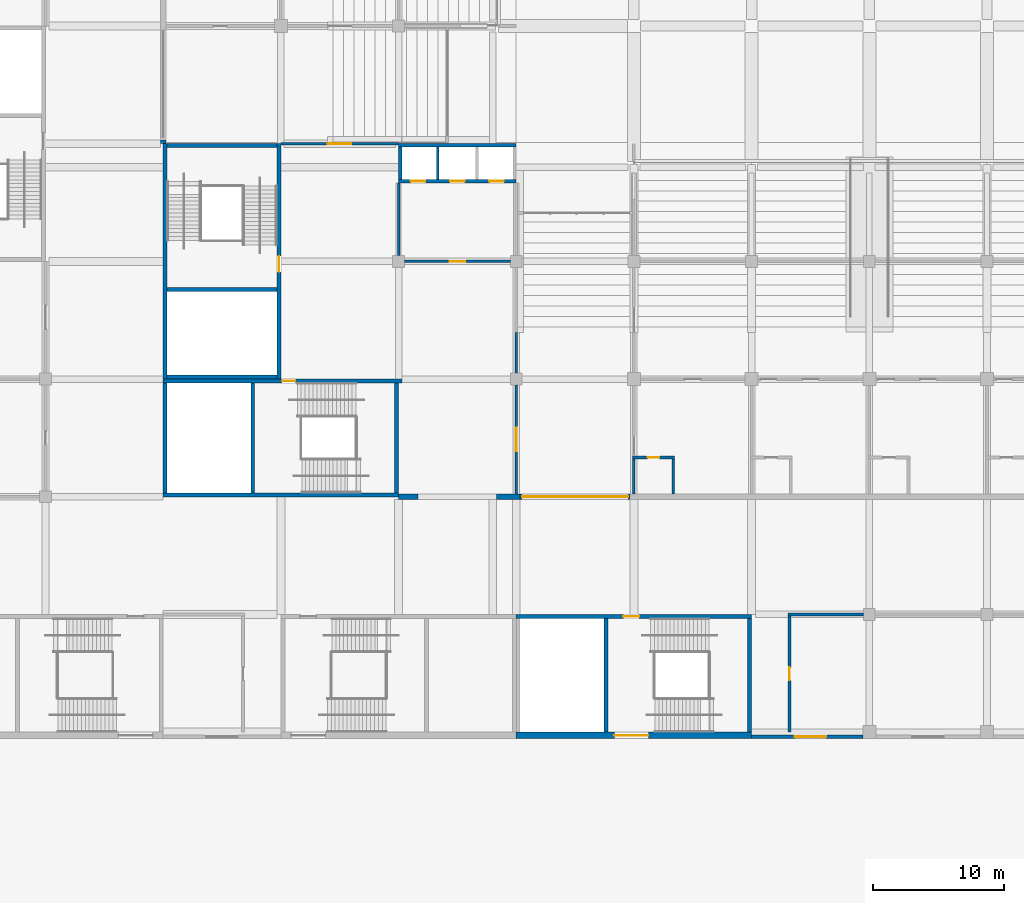
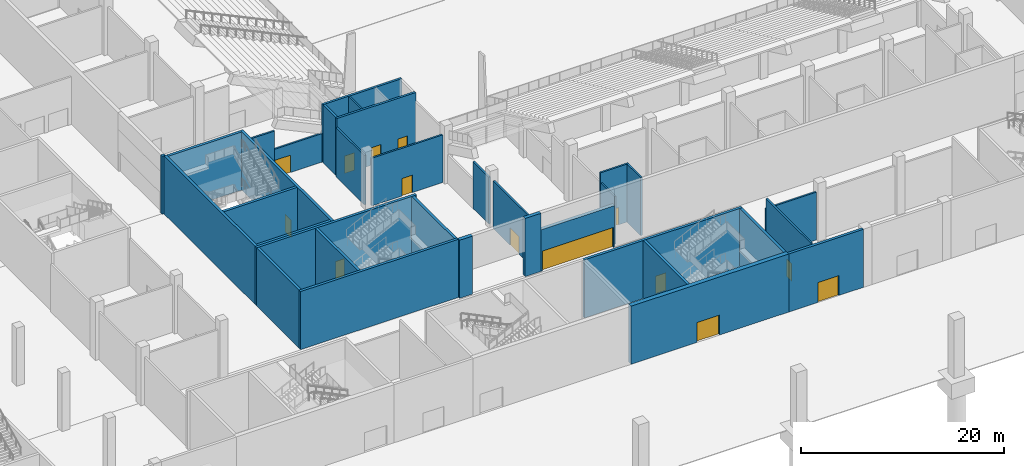
# One storey, part 24 of 92: 34 walls, 14 doors, 14 openings.
"""IFC4 building model written with IfcOpenShell, lengths in metres."""

from ifc_helpers import new_model, si_unit, direction, frame, frame_2d, origin, place, context, subcontext, project, spatial, rectangle, extrude, material, layer, layer_set, type_object, element, fill, save


model = new_model("IFC4")

# Units and contexts
model_context = context("Model", 3, precision=1e-05, world=origin(), true_north=direction((0.0, 1.0)))
body_context = subcontext(model_context, "Body", "Model", "MODEL_VIEW")
ifc_project = project(units=[si_unit("LENGTHUNIT", "METRE"), si_unit("AREAUNIT", "SQUARE_METRE"), si_unit("VOLUMEUNIT", "CUBIC_METRE"), si_unit("PLANEANGLEUNIT", "RADIAN"), si_unit("MASSUNIT", "GRAM", prefix="KILO")], contexts=[model_context])

# Site, building, storey
site_placement = place(None, origin())
site = spatial("IfcSite", under=ifc_project, at=site_placement, CompositionType="ELEMENT")
building_placement = place(site_placement, origin())
building = spatial("IfcBuilding", under=site, at=building_placement, Name="Silverbay Arena", CompositionType="ELEMENT")
storey_placement = place(building_placement, origin())
storey = spatial("IfcBuildingStorey", under=building, at=storey_placement, Name="L00", CompositionType="ELEMENT", Elevation=0.0)

# Wall, opening, door
ifc_material_1 = material(Name="Concrete Grade C45 precast, board-marked finish", Category="concrete")
ifc_layer_1 = layer(ifc_material_1, 0.300048828125)
ifc_layer_set_1 = layer_set([ifc_layer_1], Name="Concrete Grade C45 precast, board-marked finish")
wall_type_1 = type_object("IfcWallType", Name="Board-marked precast wall 300", PredefinedType="SOLIDWALL", material=ifc_layer_set_1)
wall_1_placement = place(storey_placement, frame((117.0, 17.64990234375, 0.0), z_axis=(0.0, 0.0, 1.0), x_axis=(1.0, 0.0, 0.0)))
wall_1 = element("IfcWall", 1, at=wall_1_placement, inside=storey, type_object=wall_type_1, Name="South external wall L00 bay 11", PredefinedType="SOLIDWALL", context=body_context, shape_type="SweptSolid", body=[
    extrude(rectangle(XDim=8.5, YDim=0.300048828125, at=frame_2d((4.25, 0.0))), origin(), (0.0, 0.0, 1.0), 7.0),
])
opening_1_placement = place(wall_1_placement, frame((3.300048828125, 0.0, 0.0)))
opening_1 = element("IfcOpeningElement", 2, at=opening_1_placement, cuts=wall_1, Name="Opening L00-113", PredefinedType="OPENING", context=body_context, shape_type="SweptSolid", body=[
    extrude(rectangle(XDim=2.39990234375, YDim=2.39990234375, at=frame_2d((1.199951171875, 1.199951171875))), frame((0.0, 0.16015625, 0.0), z_axis=(0.0, -1.0, 0.0), x_axis=(1.0, 0.0, 0.0)), (0.0, 0.0, 1.0), 0.320068359375),
])
ifc_material_2 = material(Name="Steel", Category="steel")
door_type_1 = type_object("IfcDoorType", Name="Exit gate door 2400 x 2400", OperationType="DOUBLE_DOOR_SINGLE_SWING", PredefinedType="DOOR", material=ifc_material_2)
door_1_placement = place(opening_1_placement, frame((2.39990234375, 0.0, 0.0), z_axis=(0.0, 0.0, 1.0), x_axis=(-1.0, 0.0, 0.0)))
door_1 = element("IfcDoor", 3, at=door_1_placement, inside=storey, type_object=door_type_1, Name="Pedestrian exit gate G4", OperationType="DOUBLE_DOOR_SINGLE_SWING", OverallHeight=2.39990234375, OverallWidth=2.39990234375, PredefinedType="DOOR", context=body_context, shape_type="SweptSolid", body=[
    extrude(rectangle(XDim=2.39990234375, YDim=2.39990234375, at=frame_2d((1.199951171875, 1.199951171875))), frame((0.0, 0.02490234375, 0.0), z_axis=(0.0, -1.0, 0.0), x_axis=(1.0, 0.0, 0.0)), (0.0, 0.0, 1.0), 0.050048828125),
])
fill(opening_1, door_1)

ifc_material_3 = material(Name="Concrete Grade C45", Category="concrete")
ifc_layer_2 = layer(ifc_material_3, 0.39990234375)
ifc_layer_set_2 = layer_set([ifc_layer_2], Name="Concrete Grade C45")
wall_type_2 = type_object("IfcWallType", Name="Bowl enclosure wall RC 400 EI 120", PredefinedType="SOLIDWALL", material=ifc_layer_set_2)
wall_2_placement = place(storey_placement, frame((99.300048828125, 36.0, 0.0), z_axis=(0.0, 0.0, 1.0), x_axis=(1.0, 0.0, 0.0)))
wall_2 = element("IfcWall", 4, at=wall_2_placement, inside=storey, type_object=wall_type_2, Name="tunnel floor tunnel SW", PredefinedType="SOLIDWALL", context=body_context, shape_type="SweptSolid", body=[
    extrude(rectangle(XDim=8.39990234375, YDim=0.39990234375, at=frame_2d((4.199951171875, 0.0))), origin(), (0.0, 0.0, 1.0), 5.0),
])
opening_2_placement = place(wall_2_placement, frame((0.14990234375, 0.0, 0.0)))
opening_2 = element("IfcOpeningElement", 5, at=opening_2_placement, cuts=wall_2, Name="Opening L00-224", PredefinedType="OPENING", context=body_context, shape_type="SweptSolid", body=[
    extrude(rectangle(XDim=8.10009765625, YDim=2.39990234375, at=frame_2d((4.050048828125, 1.199951171875))), frame((0.0, 0.2099609375, 0.0), z_axis=(0.0, -1.0, 0.0), x_axis=(1.0, 0.0, 0.0)), (0.0, 0.0, 1.0), 0.419921875),
])
ifc_material_4 = material(Name="Steel", Category="steel")
door_type_2 = type_object("IfcDoorType", Name="Fire door set 8100 x 2400 FD120S tunnel", OperationType="DOUBLE_DOOR_SINGLE_SWING", PredefinedType="DOOR", material=ifc_material_4)
door_2_placement = place(opening_2_placement, frame((8.10009765625, 0.0, 0.0), z_axis=(0.0, 0.0, 1.0), x_axis=(-1.0, 0.0, 0.0)))
door_2 = element("IfcDoor", 6, at=door_2_placement, inside=storey, type_object=door_type_2, Name="Fire door set L00 tunnel floor tunnel SW", OperationType="DOUBLE_DOOR_SINGLE_SWING", OverallHeight=2.39990234375, OverallWidth=8.10009765625, PredefinedType="DOOR", context=body_context, shape_type="SweptSolid", body=[
    extrude(rectangle(XDim=8.10009765625, YDim=2.39990234375, at=frame_2d((4.050048828125, 1.199951171875))), frame((0.0, 0.02490234375, 0.0), z_axis=(0.0, -1.0, 0.0), x_axis=(1.0, 0.0, 0.0)), (0.0, 0.0, 1.0), 0.050048828125),
])
fill(opening_2, door_2)

ifc_material_5 = material(Name="Concrete Grade C45", Category="concrete")
ifc_layer_3 = layer(ifc_material_5, 0.300048828125)
ifc_layer_set_3 = layer_set([ifc_layer_3], Name="Concrete Grade C45")
wall_type_3 = type_object("IfcWallType", Name="Core wall RC 300 EI 120", PredefinedType="SHEAR", material=ifc_layer_set_3)
wall_3_placement = place(storey_placement, frame((117.0, 26.85009765625, 0.0), z_axis=(0.0, 0.0, 1.0), x_axis=(-1.0, 0.0, 0.0)))
wall_3 = element("IfcWall", 7, at=wall_3_placement, inside=storey, type_object=wall_type_3, Name="Core wall ST-S2 L00 door side", PredefinedType="SHEAR", context=body_context, shape_type="SweptSolid", body=[
    extrude(rectangle(XDim=18.0, YDim=0.300048828125, at=frame_2d((9.0, 0.0))), origin(), (0.0, 0.0, 1.0), 7.0),
])
opening_3_placement = place(wall_3_placement, frame((8.60009765625, 0.0, 0.0)))
opening_3 = element("IfcOpeningElement", 8, at=opening_3_placement, cuts=wall_3, Name="Opening L00-160", PredefinedType="OPENING", context=body_context, shape_type="SweptSolid", body=[
    extrude(rectangle(XDim=1.199951171875, YDim=2.10009765625, at=frame_2d((0.60009765625, 1.050048828125))), frame((0.0, 0.16015625, 0.0), z_axis=(0.0, -1.0, 0.0), x_axis=(1.0, 0.0, 0.0)), (0.0, 0.0, 1.0), 0.320068359375),
])
ifc_material_6 = material(Name="Steel fire door", Category="steel")
door_type_3 = type_object("IfcDoorType", Name="Stair door 1200 x 2100 fire door", OperationType="SINGLE_SWING_LEFT", PredefinedType="DOOR", material=ifc_material_6)
door_3_placement = place(opening_3_placement, origin())
door_3 = element("IfcDoor", 9, at=door_3_placement, inside=storey, type_object=door_type_3, Name="Stair door ST-S2 L00", OperationType="SINGLE_SWING_RIGHT", OverallHeight=2.10009765625, OverallWidth=1.199951171875, PredefinedType="DOOR", context=body_context, shape_type="SweptSolid", body=[
    extrude(rectangle(XDim=1.199951171875, YDim=2.10009765625, at=frame_2d((0.60009765625, 1.050048828125))), frame((0.0, 0.02490234375, 0.0), z_axis=(0.0, -1.0, 0.0), x_axis=(1.0, 0.0, 0.0)), (0.0, 0.0, 1.0), 0.050048828125),
])
fill(opening_3, door_3)

# Walls
for number, where, z_axis, x_axis, name in (
    (10, (116.85009765625, 26.699951171875, 0.0), (0.0, 0.0, 1.0), (0.0, -1.0, 0.0), "Core wall ST-S2 L00 end 1"),
    (11, (105.85009765625, 26.699951171875, 0.0), (0.0, 0.0, 1.0), (0.0, -1.0, 0.0), "Core wall ST-S2 L00 stair enclosure"),
):
    element("IfcWall", number, at=place(storey_placement, frame(where, z_axis=z_axis, x_axis=x_axis)), inside=storey, type_object=wall_type_3, Name=name, PredefinedType="SHEAR", context=body_context, shape_type="SweptSolid", body=[
        extrude(rectangle(XDim=8.699951171875, YDim=0.300048828125, at=frame_2d((4.35009765625, 0.0))), origin(), (0.0, 0.0, 1.0), 7.0),
    ])

# Wall, opening, door
wall_4_placement = place(storey_placement, frame((90.25, 44.85009765625, 0.0), z_axis=(0.0, 0.0, 1.0), x_axis=(-1.0, 0.0, 0.0)))
wall_4 = element("IfcWall", 12, at=wall_4_placement, inside=storey, type_object=wall_type_3, Name="Core wall ST-SW1 L00 door side", PredefinedType="SHEAR", context=body_context, shape_type="SweptSolid", body=[
    extrude(rectangle(XDim=18.25, YDim=0.300048828125, at=frame_2d((9.125, 0.0))), origin(), (0.0, 0.0, 1.0), 7.0),
])
opening_4_placement = place(wall_4_placement, frame((8.14990234375, 0.0, 0.0)))
opening_4 = element("IfcOpeningElement", 13, at=opening_4_placement, cuts=wall_4, Name="Opening L00-186", PredefinedType="OPENING", context=body_context, shape_type="SweptSolid", body=[
    extrude(rectangle(XDim=1.0, YDim=2.10009765625, at=frame_2d((0.5, 1.050048828125))), frame((0.0, 0.16015625, 0.0), z_axis=(0.0, -1.0, 0.0), x_axis=(1.0, 0.0, 0.0)), (0.0, 0.0, 1.0), 0.320068359375),
])
ifc_material_7 = material(Name="Steel fire door", Category="steel")
door_type_4 = type_object("IfcDoorType", Name="Stair door 1000 x 2100 fire door", OperationType="SINGLE_SWING_LEFT", PredefinedType="DOOR", material=ifc_material_7)
door_4_placement = place(opening_4_placement, origin())
door_4 = element("IfcDoor", 14, at=door_4_placement, inside=storey, type_object=door_type_4, Name="Stair door ST-SW1 L00", OperationType="SINGLE_SWING_LEFT", OverallHeight=2.10009765625, OverallWidth=1.0, PredefinedType="DOOR", context=body_context, shape_type="SweptSolid", body=[
    extrude(rectangle(XDim=1.0, YDim=2.10009765625, at=frame_2d((0.5, 1.050048828125))), frame((0.0, 0.02490234375, 0.0), z_axis=(0.0, -1.0, 0.0), x_axis=(1.0, 0.0, 0.0)), (0.0, 0.0, 1.0), 0.050048828125),
])
fill(opening_4, door_4)

# Walls
wall_5_placement = place(storey_placement, frame((90.0, 36.14990234375, 0.0), z_axis=(0.0, 0.0, 1.0), x_axis=(-1.0, 0.0, 0.0)))
element("IfcWall", 15, at=wall_5_placement, inside=storey, type_object=wall_type_3, Name="Core wall ST-SW1 L00 far side", PredefinedType="SHEAR", context=body_context, shape_type="SweptSolid", body=[
    extrude(rectangle(XDim=18.0, YDim=0.300048828125, at=frame_2d((9.0, 0.0))), origin(), (0.0, 0.0, 1.0), 7.0),
])
for number, where, z_axis, x_axis, name in (
    (16, (89.85009765625, 44.699951171875, 0.0), (0.0, 0.0, 1.0), (0.0, -1.0, 0.0), "Core wall ST-SW1 L00 end 1"),
    (17, (72.14990234375, 44.699951171875, 0.0), (0.0, 0.0, 1.0), (0.0, -1.0, 0.0), "Core wall ST-SW1 L00 end 2"),
    (18, (78.85009765625, 44.699951171875, 0.0), (0.0, 0.0, 1.0), (0.0, -1.0, 0.0), "Core wall ST-SW1 L00 stair enclosure"),
):
    element("IfcWall", number, at=place(storey_placement, frame(where, z_axis=z_axis, x_axis=x_axis)), inside=storey, type_object=wall_type_3, Name=name, PredefinedType="SHEAR", context=body_context, shape_type="SweptSolid", body=[
        extrude(rectangle(XDim=8.39990234375, YDim=0.300048828125, at=frame_2d((4.199951171875, 0.0))), origin(), (0.0, 0.0, 1.0), 7.0),
    ])

# Wall, opening, door
wall_6_placement = place(storey_placement, frame((80.85009765625, 63.0, 0.0), z_axis=(0.0, 0.0, 1.0), x_axis=(0.0, -1.0, 0.0)))
wall_6 = element("IfcWall", 19, at=wall_6_placement, inside=storey, type_object=wall_type_3, Name="Core wall ST-SW2 L00 door side", PredefinedType="SHEAR", context=body_context, shape_type="SweptSolid", body=[
    extrude(rectangle(XDim=18.0, YDim=0.300048828125, at=frame_2d((9.0, 0.0))), origin(), (0.0, 0.0, 1.0), 7.0),
])
opening_5_placement = place(wall_6_placement, frame((8.60009765625, 0.0, 0.0)))
opening_5 = element("IfcOpeningElement", 20, at=opening_5_placement, cuts=wall_6, Name="Opening L00-187", PredefinedType="OPENING", context=body_context, shape_type="SweptSolid", body=[
    extrude(rectangle(XDim=1.199951171875, YDim=2.10009765625, at=frame_2d((0.60009765625, 1.050048828125))), frame((0.0, 0.16015625, 0.0), z_axis=(0.0, -1.0, 0.0), x_axis=(1.0, 0.0, 0.0)), (0.0, 0.0, 1.0), 0.320068359375),
])
door_5_placement = place(opening_5_placement, frame((1.199951171875, 0.0, 0.0), z_axis=(0.0, 0.0, 1.0), x_axis=(-1.0, 0.0, 0.0)))
door_5 = element("IfcDoor", 21, at=door_5_placement, inside=storey, type_object=door_type_3, Name="Stair door ST-SW2 L00", OperationType="SINGLE_SWING_LEFT", OverallHeight=2.10009765625, OverallWidth=1.199951171875, PredefinedType="DOOR", context=body_context, shape_type="SweptSolid", body=[
    extrude(rectangle(XDim=1.199951171875, YDim=2.10009765625, at=frame_2d((0.60009765625, 1.050048828125))), frame((0.0, 0.02490234375, 0.0), z_axis=(0.0, -1.0, 0.0), x_axis=(1.0, 0.0, 0.0)), (0.0, 0.0, 1.0), 0.050048828125),
])
fill(opening_5, door_5)

# Walls
wall_7_placement = place(storey_placement, frame((72.14990234375, 63.0, 0.0), z_axis=(0.0, 0.0, 1.0), x_axis=(0.0, -1.0, 0.0)))
element("IfcWall", 22, at=wall_7_placement, inside=storey, type_object=wall_type_3, Name="Core wall ST-SW2 L00 far side", PredefinedType="SHEAR", context=body_context, shape_type="SweptSolid", body=[
    extrude(rectangle(XDim=18.0, YDim=0.300048828125, at=frame_2d((9.0, 0.0))), origin(), (0.0, 0.0, 1.0), 7.0),
])
for number, where, z_axis, x_axis, name in (
    (23, (80.699951171875, 62.85009765625, 0.0), (0.0, 0.0, 1.0), (-1.0, 0.0, 0.0), "Core wall ST-SW2 L00 end 1"),
    (24, (80.699951171875, 45.14990234375, 0.0), (0.0, 0.0, 1.0), (-1.0, 0.0, 0.0), "Core wall ST-SW2 L00 end 2"),
    (25, (80.699951171875, 51.85009765625, 0.0), (0.0, 0.0, 1.0), (-1.0, 0.0, 0.0), "Core wall ST-SW2 L00 stair enclosure"),
):
    element("IfcWall", number, at=place(storey_placement, frame(where, z_axis=z_axis, x_axis=x_axis)), inside=storey, type_object=wall_type_3, Name=name, PredefinedType="SHEAR", context=body_context, shape_type="SweptSolid", body=[
        extrude(rectangle(XDim=8.39990234375, YDim=0.300048828125, at=frame_2d((4.199951171875, 0.0))), origin(), (0.0, 0.0, 1.0), 7.0),
    ])

# Wall, opening, door
ifc_material_8 = material(Name="Concrete Grade C45", Category="concrete")
ifc_layer_4 = layer(ifc_material_8, 0.5)
ifc_layer_set_4 = layer_set([ifc_layer_4], Name="Concrete Grade C45")
wall_type_4 = type_object("IfcWallType", Name="Core wall RC 500 external EI 120", PredefinedType="SHEAR", material=ifc_layer_set_4)
wall_8_placement = place(storey_placement, frame((117.0, 17.75, 0.0), z_axis=(0.0, 0.0, 1.0), x_axis=(-1.0, 0.0, 0.0)))
wall_8 = element("IfcWall", 26, at=wall_8_placement, inside=storey, type_object=wall_type_4, Name="Core wall ST-S2 L00 facade side", PredefinedType="SHEAR", context=body_context, shape_type="SweptSolid", body=[
    extrude(rectangle(XDim=18.0, YDim=0.5, at=frame_2d((9.0, 0.0))), origin(), (0.0, 0.0, 1.0), 7.0),
])
opening_6_placement = place(wall_8_placement, frame((7.89990234375, 0.0, 0.0)))
opening_6 = element("IfcOpeningElement", 27, at=opening_6_placement, cuts=wall_8, Name="Opening L00-161", PredefinedType="OPENING", context=body_context, shape_type="SweptSolid", body=[
    extrude(rectangle(XDim=2.60009765625, YDim=2.39990234375, at=frame_2d((1.300048828125, 1.199951171875))), frame((0.0, 0.260009765625, 0.0), z_axis=(0.0, -1.0, 0.0), x_axis=(1.0, 0.0, 0.0)), (0.0, 0.0, 1.0), 0.52001953125),
])
ifc_material_9 = material(Name="Steel and glass", Category="steel")
door_type_5 = type_object("IfcDoorType", Name="Exit door double leaf 2600 x 2400", OperationType="DOUBLE_DOOR_SINGLE_SWING", PredefinedType="DOOR", material=ifc_material_9)
door_6_placement = place(opening_6_placement, origin())
door_6 = element("IfcDoor", 28, at=door_6_placement, inside=storey, type_object=door_type_5, Name="Pedestrian exit gate G62", OperationType="DOUBLE_DOOR_SINGLE_SWING", OverallHeight=2.39990234375, OverallWidth=2.60009765625, PredefinedType="DOOR", context=body_context, shape_type="SweptSolid", body=[
    extrude(rectangle(XDim=2.60009765625, YDim=2.39990234375, at=frame_2d((1.300048828125, 1.199951171875))), frame((0.0, 0.02490234375, 0.0), z_axis=(0.0, -1.0, 0.0), x_axis=(1.0, 0.0, 0.0)), (0.0, 0.0, 1.0), 0.050048828125),
])
fill(opening_6, door_6)

# Wall
ifc_material_10 = material(Name="Concrete Grade C45", Category="concrete")
ifc_layer_5 = layer(ifc_material_10, 0.199951171875)
ifc_layer_set_5 = layer_set([ifc_layer_5], Name="Concrete Grade C45")
wall_type_5 = type_object("IfcWallType", Name="Lift shaft divider RC 200 EI 120", PredefinedType="SHEAR", material=ifc_layer_set_5)
wall_9_placement = place(storey_placement, frame((93.0, 60.25, 0.0), z_axis=(0.0, 0.0, 1.0), x_axis=(0.0, 1.0, 0.0)))
element("IfcWall", 29, at=wall_9_placement, inside=storey, type_object=wall_type_5, Name="Lift shaft divider LB-SW L00 1", PredefinedType="SHEAR", context=body_context, shape_type="SweptSolid", body=[
    extrude(rectangle(XDim=2.5, YDim=0.199951171875, at=frame_2d((1.25, 0.0))), origin(), (0.0, 0.0, 1.0), 7.0),
])

# Wall, openings, doors
ifc_material_11 = material(Name="Concrete Grade C45", Category="concrete")
ifc_layer_6 = layer(ifc_material_11, 0.25)
ifc_layer_set_6 = layer_set([ifc_layer_6], Name="Concrete Grade C45")
wall_type_6 = type_object("IfcWallType", Name="Lift shaft wall RC 250 EI 120", PredefinedType="SHEAR", material=ifc_layer_set_6)
wall_10_placement = place(storey_placement, frame((90.0, 60.125, 0.0), z_axis=(0.0, 0.0, 1.0), x_axis=(1.0, 0.0, 0.0)))
wall_10 = element("IfcWall", 30, at=wall_10_placement, inside=storey, type_object=wall_type_6, Name="Lift shaft wall LB-SW L00 landing side", PredefinedType="SHEAR", context=body_context, shape_type="SweptSolid", body=[
    extrude(rectangle(XDim=9.0, YDim=0.25, at=frame_2d((4.5, 0.0))), origin(), (0.0, 0.0, 1.0), 7.0),
])
opening_7_placement = place(wall_10_placement, frame((0.949951171875, 0.0, 0.0)))
opening_7 = element("IfcOpeningElement", 31, at=opening_7_placement, cuts=wall_10, Name="Opening L00-202", PredefinedType="OPENING", context=body_context, shape_type="SweptSolid", body=[
    extrude(rectangle(XDim=1.10009765625, YDim=2.10009765625, at=frame_2d((0.550048828125, 1.050048828125))), frame((0.0, 0.135009765625, 0.0), z_axis=(0.0, -1.0, 0.0), x_axis=(1.0, 0.0, 0.0)), (0.0, 0.0, 1.0), 0.27001953125),
])
opening_8_placement = place(wall_10_placement, frame((3.949951171875, 0.0, 0.0)))
opening_8 = element("IfcOpeningElement", 32, at=opening_8_placement, cuts=wall_10, Name="Opening L00-203", PredefinedType="OPENING", context=body_context, shape_type="SweptSolid", body=[
    extrude(rectangle(XDim=1.10009765625, YDim=2.10009765625, at=frame_2d((0.550048828125, 1.050048828125))), frame((0.0, 0.135009765625, 0.0), z_axis=(0.0, -1.0, 0.0), x_axis=(1.0, 0.0, 0.0)), (0.0, 0.0, 1.0), 0.27001953125),
])
opening_9_placement = place(wall_10_placement, frame((6.949951171875, 0.0, 0.0)))
opening_9 = element("IfcOpeningElement", 33, at=opening_9_placement, cuts=wall_10, Name="Opening L00-204", PredefinedType="OPENING", context=body_context, shape_type="SweptSolid", body=[
    extrude(rectangle(XDim=1.10009765625, YDim=2.10009765625, at=frame_2d((0.550048828125, 1.050048828125))), frame((0.0, 0.135009765625, 0.0), z_axis=(0.0, -1.0, 0.0), x_axis=(1.0, 0.0, 0.0)), (0.0, 0.0, 1.0), 0.27001953125),
])
ifc_material_12 = material(Name="Stainless steel", Category="steel")
door_type_6 = type_object("IfcDoorType", Name="LD1 lift landing door 1100 x 2100", OperationType="DOUBLE_DOOR_SLIDING", PredefinedType="DOOR", material=ifc_material_12)
door_7_placement = place(opening_7_placement, origin())
door_7 = element("IfcDoor", 34, at=door_7_placement, inside=storey, type_object=door_type_6, Name="Lift landing door LF2 L00", OperationType="DOUBLE_DOOR_SLIDING", OverallHeight=2.10009765625, OverallWidth=1.10009765625, PredefinedType="DOOR", context=body_context, shape_type="SweptSolid", body=[
    extrude(rectangle(XDim=1.10009765625, YDim=2.10009765625, at=frame_2d((0.550048828125, 1.050048828125))), frame((0.0, 0.02490234375, 0.0), z_axis=(0.0, -1.0, 0.0), x_axis=(1.0, 0.0, 0.0)), (0.0, 0.0, 1.0), 0.050048828125),
])
fill(opening_7, door_7)
door_8_placement = place(opening_8_placement, origin())
door_8 = element("IfcDoor", 35, at=door_8_placement, inside=storey, type_object=door_type_6, Name="Lift landing door LF4 L00", OperationType="DOUBLE_DOOR_SLIDING", OverallHeight=2.10009765625, OverallWidth=1.10009765625, PredefinedType="DOOR", context=body_context, shape_type="SweptSolid", body=[
    extrude(rectangle(XDim=1.10009765625, YDim=2.10009765625, at=frame_2d((0.550048828125, 1.050048828125))), frame((0.0, 0.02490234375, 0.0), z_axis=(0.0, -1.0, 0.0), x_axis=(1.0, 0.0, 0.0)), (0.0, 0.0, 1.0), 0.050048828125),
])
fill(opening_8, door_8)
door_9_placement = place(opening_9_placement, origin())
door_9 = element("IfcDoor", 36, at=door_9_placement, inside=storey, type_object=door_type_6, Name="Lift landing door LF5 L00", OperationType="DOUBLE_DOOR_SLIDING", OverallHeight=2.10009765625, OverallWidth=1.10009765625, PredefinedType="DOOR", context=body_context, shape_type="SweptSolid", body=[
    extrude(rectangle(XDim=1.10009765625, YDim=2.10009765625, at=frame_2d((0.550048828125, 1.050048828125))), frame((0.0, 0.02490234375, 0.0), z_axis=(0.0, -1.0, 0.0), x_axis=(1.0, 0.0, 0.0)), (0.0, 0.0, 1.0), 0.050048828125),
])
fill(opening_9, door_9)

# Walls
wall_11_placement = place(storey_placement, frame((90.0, 62.875, 0.0), z_axis=(0.0, 0.0, 1.0), x_axis=(1.0, 0.0, 0.0)))
element("IfcWall", 37, at=wall_11_placement, inside=storey, type_object=wall_type_6, Name="Lift shaft wall LB-SW L00 back", PredefinedType="SHEAR", context=body_context, shape_type="SweptSolid", body=[
    extrude(rectangle(XDim=9.0, YDim=0.25, at=frame_2d((4.5, 0.0))), origin(), (0.0, 0.0, 1.0), 7.0),
])
wall_12_placement = place(storey_placement, frame((90.125, 60.25, 0.0), z_axis=(0.0, 0.0, 1.0), x_axis=(0.0, 1.0, 0.0)))
element("IfcWall", 38, at=wall_12_placement, inside=storey, type_object=wall_type_6, Name="Lift shaft wall LB-SW L00 end", PredefinedType="SHEAR", context=body_context, shape_type="SweptSolid", body=[
    extrude(rectangle(XDim=2.5, YDim=0.25, at=frame_2d((1.25, 0.0))), origin(), (0.0, 0.0, 1.0), 7.0),
])
ifc_material_13 = material(Name="Masonry blockwork partition", Category="masonry")
ifc_layer_7 = layer(ifc_material_13, 0.199951171875)
ifc_layer_set_7 = layer_set([ifc_layer_7], Name="Masonry blockwork partition")
wall_type_7 = type_object("IfcWallType", Name="Partition 200 EI 120", PredefinedType="PARTITIONING", material=ifc_layer_set_7)
wall_13_placement = place(storey_placement, frame((119.800048828125, 27.0, 0.0), z_axis=(0.0, 0.0, 1.0), x_axis=(1.0, 0.0, 0.0)))
element("IfcWall", 39, at=wall_13_placement, inside=storey, type_object=wall_type_7, Name="Partition wall", PredefinedType="PARTITIONING", context=body_context, shape_type="SweptSolid", body=[
    extrude(rectangle(XDim=5.75, YDim=0.199951171875, at=frame_2d((2.875, 0.0))), origin(), (0.0, 0.0, 1.0), 5.75),
])

# Wall, opening, door
wall_14_placement = place(storey_placement, frame((90.449951171875, 54.0, 0.0), z_axis=(0.0, 0.0, 1.0), x_axis=(1.0, 0.0, 0.0)))
wall_14 = element("IfcWall", 40, at=wall_14_placement, inside=storey, type_object=wall_type_7, Name="Partition wall", PredefinedType="PARTITIONING", context=body_context, shape_type="SweptSolid", body=[
    extrude(rectangle(XDim=8.10009765625, YDim=0.199951171875, at=frame_2d((4.050048828125, 0.0))), origin(), (0.0, 0.0, 1.0), 5.75),
])
opening_10_placement = place(wall_14_placement, frame((3.449951171875, 0.0, 0.0)))
opening_10 = element("IfcOpeningElement", 41, at=opening_10_placement, cuts=wall_14, Name="Opening L00-017", PredefinedType="OPENING", context=body_context, shape_type="SweptSolid", body=[
    extrude(rectangle(XDim=1.199951171875, YDim=2.10009765625, at=frame_2d((0.60009765625, 1.050048828125))), frame((0.0, 0.10986328125, 0.0), z_axis=(0.0, -1.0, 0.0), x_axis=(1.0, 0.0, 0.0)), (0.0, 0.0, 1.0), 0.219970703125),
])
ifc_material_14 = material(Name="Steel faced timber", Category="steel")
door_type_7 = type_object("IfcDoorType", Name="Single leaf door 1200 x 2100 FD60", OperationType="SINGLE_SWING_LEFT", PredefinedType="DOOR", material=ifc_material_14)
door_10_placement = place(opening_10_placement, frame((1.199951171875, 0.0, 0.0), z_axis=(0.0, 0.0, 1.0), x_axis=(-1.0, 0.0, 0.0)))
door_10 = element("IfcDoor", 42, at=door_10_placement, inside=storey, type_object=door_type_7, Name="Door L00-017", OperationType="SINGLE_SWING_RIGHT", OverallHeight=2.10009765625, OverallWidth=1.199951171875, PredefinedType="DOOR", context=body_context, shape_type="SweptSolid", body=[
    extrude(rectangle(XDim=1.199951171875, YDim=2.10009765625, at=frame_2d((0.60009765625, 1.050048828125))), frame((0.0, 0.02490234375, 0.0), z_axis=(0.0, -1.0, 0.0), x_axis=(1.0, 0.0, 0.0)), (0.0, 0.0, 1.0), 0.050048828125),
])
fill(opening_10, door_10)

wall_15_placement = place(storey_placement, frame((84.571044921875, 63.0, 0.0), z_axis=(0.0, 0.0, 1.0), x_axis=(1.0, 0.0, 0.0)))
wall_15 = element("IfcWall", 43, at=wall_15_placement, inside=storey, type_object=wall_type_7, Name="Partition wall", PredefinedType="PARTITIONING", context=body_context, shape_type="SweptSolid", body=[
    extrude(rectangle(XDim=5.428955078125, YDim=0.199951171875, at=frame_2d((2.71435546875, 0.0))), origin(), (0.0, 0.0, 1.0), 3.43896484375),
])
opening_11_placement = place(wall_15_placement, frame((0.029052734375, 0.0, 0.0)))
opening_11 = element("IfcOpeningElement", 44, at=opening_11_placement, cuts=wall_15, Name="Opening L00-086", PredefinedType="OPENING", context=body_context, shape_type="SweptSolid", body=[
    extrude(rectangle(XDim=1.800048828125, YDim=2.10009765625, at=frame_2d((0.89990234375, 1.050048828125))), frame((0.0, 0.10986328125, 0.0), z_axis=(0.0, -1.0, 0.0), x_axis=(1.0, 0.0, 0.0)), (0.0, 0.0, 1.0), 0.219970703125),
])
ifc_material_15 = material(Name="Steel faced timber", Category="steel")
door_type_8 = type_object("IfcDoorType", Name="Double leaf door 1800 x 2100 FD120", OperationType="DOUBLE_DOOR_DOUBLE_SWING", PredefinedType="DOOR", material=ifc_material_15)
door_11_placement = place(opening_11_placement, frame((1.800048828125, 0.0, 0.0), z_axis=(0.0, 0.0, 1.0), x_axis=(-1.0, 0.0, 0.0)))
door_11 = element("IfcDoor", 45, at=door_11_placement, inside=storey, type_object=door_type_8, Name="Door L00-086", OperationType="DOUBLE_DOOR_DOUBLE_SWING", OverallHeight=2.10009765625, OverallWidth=1.800048828125, PredefinedType="DOOR", context=body_context, shape_type="SweptSolid", body=[
    extrude(rectangle(XDim=1.800048828125, YDim=2.10009765625, at=frame_2d((0.89990234375, 1.050048828125))), frame((0.0, 0.02490234375, 0.0), z_axis=(0.0, -1.0, 0.0), x_axis=(1.0, 0.0, 0.0)), (0.0, 0.0, 1.0), 0.050048828125),
])
fill(opening_11, door_11)

# Wall
wall_16_placement = place(storey_placement, frame((90.0, 54.449951171875, 0.0), z_axis=(0.0, 0.0, 1.0), x_axis=(0.0, 1.0, 0.0)))
element("IfcWall", 46, at=wall_16_placement, inside=storey, type_object=wall_type_7, Name="Partition wall", PredefinedType="PARTITIONING", context=body_context, shape_type="SweptSolid", body=[
    extrude(rectangle(XDim=5.550048828125, YDim=0.199951171875, at=frame_2d((2.77490234375, 0.0))), origin(), (0.0, 0.0, 1.0), 5.949951171875),
])

# Wall, opening, door
wall_17_placement = place(storey_placement, frame((99.0, 36.199951171875, 0.0), z_axis=(0.0, 0.0, 1.0), x_axis=(0.0, 1.0, 0.0)))
wall_17 = element("IfcWall", 47, at=wall_17_placement, inside=storey, type_object=wall_type_7, Name="Partition wall", PredefinedType="PARTITIONING", context=body_context, shape_type="SweptSolid", body=[
    extrude(rectangle(XDim=8.35009765625, YDim=0.199951171875, at=frame_2d((4.175048828125, 0.0))), origin(), (0.0, 0.0, 1.0), 5.75),
])
opening_12_placement = place(wall_17_placement, frame((3.27490234375, 0.0, 0.0)))
opening_12 = element("IfcOpeningElement", 48, at=opening_12_placement, cuts=wall_17, Name="Opening L00-078", PredefinedType="OPENING", context=body_context, shape_type="SweptSolid", body=[
    extrude(rectangle(XDim=1.800048828125, YDim=2.10009765625, at=frame_2d((0.89990234375, 1.050048828125))), frame((0.0, 0.10986328125, 0.0), z_axis=(0.0, -1.0, 0.0), x_axis=(1.0, 0.0, 0.0)), (0.0, 0.0, 1.0), 0.219970703125),
])
door_12_placement = place(opening_12_placement, origin())
door_12 = element("IfcDoor", 49, at=door_12_placement, inside=storey, type_object=door_type_8, Name="Door L00-078", OperationType="DOUBLE_DOOR_DOUBLE_SWING", OverallHeight=2.10009765625, OverallWidth=1.800048828125, PredefinedType="DOOR", context=body_context, shape_type="SweptSolid", body=[
    extrude(rectangle(XDim=1.800048828125, YDim=2.10009765625, at=frame_2d((0.89990234375, 1.050048828125))), frame((0.0, 0.02490234375, 0.0), z_axis=(0.0, -1.0, 0.0), x_axis=(1.0, 0.0, 0.0)), (0.0, 0.0, 1.0), 0.050048828125),
])
fill(opening_12, door_12)

# Wall
wall_18_placement = place(storey_placement, frame((108.0, 36.199951171875, 0.0), z_axis=(0.0, 0.0, 1.0), x_axis=(0.0, 1.0, 0.0)))
element("IfcWall", 50, at=wall_18_placement, inside=storey, type_object=wall_type_7, Name="Partition wall", PredefinedType="PARTITIONING", context=body_context, shape_type="SweptSolid", body=[
    extrude(rectangle(XDim=2.699951171875, YDim=0.199951171875, at=frame_2d((1.35009765625, 0.0))), origin(), (0.0, 0.0, 1.0), 5.75),
])

# Wall, opening, door
wall_19_placement = place(storey_placement, frame((119.89990234375, 18.0, 0.0), z_axis=(0.0, 0.0, 1.0), x_axis=(0.0, 1.0, 0.0)))
wall_19 = element("IfcWall", 51, at=wall_19_placement, inside=storey, type_object=wall_type_7, Name="Partition wall", PredefinedType="PARTITIONING", context=body_context, shape_type="SweptSolid", body=[
    extrude(rectangle(XDim=8.89990234375, YDim=0.199951171875, at=frame_2d((4.449951171875, 0.0))), origin(), (0.0, 0.0, 1.0), 7.0),
])
opening_13_placement = place(wall_19_placement, frame((3.949951171875, 0.0, 0.0)))
opening_13 = element("IfcOpeningElement", 52, at=opening_13_placement, cuts=wall_19, Name="Opening L00-002", PredefinedType="OPENING", context=body_context, shape_type="SweptSolid", body=[
    extrude(rectangle(XDim=1.0, YDim=2.10009765625, at=frame_2d((0.5, 1.050048828125))), frame((0.0, 0.10986328125, 0.0), z_axis=(0.0, -1.0, 0.0), x_axis=(1.0, 0.0, 0.0)), (0.0, 0.0, 1.0), 0.219970703125),
])
ifc_material_16 = material(Name="Steel faced timber", Category="steel")
door_type_9 = type_object("IfcDoorType", Name="Single leaf door 1000 x 2100 FD120", OperationType="SINGLE_SWING_LEFT", PredefinedType="DOOR", material=ifc_material_16)
door_13_placement = place(opening_13_placement, frame((1.0, 0.0, 0.0), z_axis=(0.0, 0.0, 1.0), x_axis=(-1.0, 0.0, 0.0)))
door_13 = element("IfcDoor", 53, at=door_13_placement, inside=storey, type_object=door_type_9, Name="Door L00-002", OperationType="SINGLE_SWING_LEFT", OverallHeight=2.10009765625, OverallWidth=1.0, PredefinedType="DOOR", context=body_context, shape_type="SweptSolid", body=[
    extrude(rectangle(XDim=1.0, YDim=2.10009765625, at=frame_2d((0.5, 1.050048828125))), frame((0.0, 0.02490234375, 0.0), z_axis=(0.0, -1.0, 0.0), x_axis=(1.0, 0.0, 0.0)), (0.0, 0.0, 1.0), 0.050048828125),
])
fill(opening_13, door_13)

# Walls
wall_20_placement = place(storey_placement, frame((81.0, 63.0, 0.0), z_axis=(0.0, 0.0, 1.0), x_axis=(1.0, 0.0, 0.0)))
element("IfcWall", 54, at=wall_20_placement, inside=storey, type_object=wall_type_7, Name="Partition wall", PredefinedType="PARTITIONING", context=body_context, shape_type="SweptSolid", body=[
    extrude(rectangle(XDim=3.571044921875, YDim=0.199951171875, at=frame_2d((1.78564453125, 0.0))), origin(), (0.0, 0.0, 1.0), 5.64990234375),
])
wall_21_placement = place(storey_placement, frame((99.0, 45.449951171875, 0.0), z_axis=(0.0, 0.0, 1.0), x_axis=(0.0, 1.0, 0.0)))
element("IfcWall", 55, at=wall_21_placement, inside=storey, type_object=wall_type_7, Name="Partition wall", PredefinedType="PARTITIONING", context=body_context, shape_type="SweptSolid", body=[
    extrude(rectangle(XDim=3.12109375, YDim=0.199951171875, at=frame_2d((1.560546875, 0.0))), origin(), (0.0, 0.0, 1.0), 5.64990234375),
])

# Wall, opening, door
ifc_material_17 = material(Name="Gypsum board partition on steel studs", Category="steel")
ifc_layer_8 = layer(ifc_material_17, 0.199951171875)
ifc_layer_set_8 = layer_set([ifc_layer_8], Name="Gypsum board partition on steel studs")
wall_type_8 = type_object("IfcWallType", Name="Partition 200 plain", PredefinedType="PARTITIONING", material=ifc_layer_set_8)
wall_22_placement = place(storey_placement, frame((107.89990234375, 39.0, 0.0), z_axis=(0.0, 0.0, 1.0), x_axis=(1.0, 0.0, 0.0)))
wall_22 = element("IfcWall", 56, at=wall_22_placement, inside=storey, type_object=wall_type_8, Name="Partition wall", PredefinedType="PARTITIONING", context=body_context, shape_type="SweptSolid", body=[
    extrude(rectangle(XDim=3.2001953125, YDim=0.199951171875, at=frame_2d((1.60009765625, 0.0))), origin(), (0.0, 0.0, 1.0), 7.0),
])
opening_14_placement = place(wall_22_placement, frame((1.14990234375, 0.0, 0.0)))
opening_14 = element("IfcOpeningElement", 57, at=opening_14_placement, cuts=wall_22, Name="Opening L00-022", PredefinedType="OPENING", context=body_context, shape_type="SweptSolid", body=[
    extrude(rectangle(XDim=0.89990234375, YDim=2.10009765625, at=frame_2d((0.449951171875, 1.050048828125))), frame((0.0, 0.10986328125, 0.0), z_axis=(0.0, -1.0, 0.0), x_axis=(1.0, 0.0, 0.0)), (0.0, 0.0, 1.0), 0.219970703125),
])
ifc_material_18 = material(Name="Timber", Category="wood")
door_type_10 = type_object("IfcDoorType", Name="Single leaf door 900 x 2100", OperationType="SINGLE_SWING_LEFT", PredefinedType="DOOR", material=ifc_material_18)
door_14_placement = place(opening_14_placement, frame((0.89990234375, 0.0, 0.0), z_axis=(0.0, 0.0, 1.0), x_axis=(-1.0, 0.0, 0.0)))
door_14 = element("IfcDoor", 58, at=door_14_placement, inside=storey, type_object=door_type_10, Name="Door L00-022", OperationType="SINGLE_SWING_LEFT", OverallHeight=2.10009765625, OverallWidth=0.89990234375, PredefinedType="DOOR", context=body_context, shape_type="SweptSolid", body=[
    extrude(rectangle(XDim=0.89990234375, YDim=2.10009765625, at=frame_2d((0.449951171875, 1.050048828125))), frame((0.0, 0.02490234375, 0.0), z_axis=(0.0, -1.0, 0.0), x_axis=(1.0, 0.0, 0.0)), (0.0, 0.0, 1.0), 0.050048828125),
])
fill(opening_14, door_14)

# Walls
wall_23_placement = place(storey_placement, frame((111.0, 36.199951171875, 0.0), z_axis=(0.0, 0.0, 1.0), x_axis=(0.0, 1.0, 0.0)))
element("IfcWall", 59, at=wall_23_placement, inside=storey, type_object=wall_type_8, Name="Partition wall", PredefinedType="PARTITIONING", context=body_context, shape_type="SweptSolid", body=[
    extrude(rectangle(XDim=2.699951171875, YDim=0.199951171875, at=frame_2d((1.35009765625, 0.0))), origin(), (0.0, 0.0, 1.0), 7.0),
])
ifc_material_19 = material(Name="Concrete Grade C45", Category="concrete")
ifc_layer_9 = layer(ifc_material_19, 0.39990234375)
ifc_layer_set_9 = layer_set([ifc_layer_9], Name="Concrete Grade C45")
wall_type_9 = type_object("IfcWallType", Name="RC back wall 400 EI 120", PredefinedType="SOLIDWALL", material=ifc_layer_set_9)
wall_24_placement = place(storey_placement, frame((90.0, 36.0, 0.0), z_axis=(0.0, 0.0, 1.0), x_axis=(1.0, 0.0, 0.0)))
element("IfcWall", 60, at=wall_24_placement, inside=storey, type_object=wall_type_9, Name="Bowl back wall L00 01", PredefinedType="SOLIDWALL", context=body_context, shape_type="SweptSolid", body=[
    extrude(rectangle(XDim=1.5, YDim=0.39990234375, at=frame_2d((0.75, 0.0))), origin(), (0.0, 0.0, 1.0), 7.0),
])
wall_25_placement = place(storey_placement, frame((97.5, 36.0, 0.0), z_axis=(0.0, 0.0, 1.0), x_axis=(1.0, 0.0, 0.0)))
element("IfcWall", 61, at=wall_25_placement, inside=storey, type_object=wall_type_9, Name="Bowl back wall L00 02", PredefinedType="SOLIDWALL", context=body_context, shape_type="SweptSolid", body=[
    extrude(rectangle(XDim=1.800048828125, YDim=0.39990234375, at=frame_2d((0.89990234375, 0.0))), origin(), (0.0, 0.0, 1.0), 7.0),
])
wall_26_placement = place(storey_placement, frame((72.0, 63.300048828125, 0.0), z_axis=(0.0, 0.0, 1.0), x_axis=(0.0, -1.0, 0.0)))
element("IfcWall", 62, at=wall_26_placement, inside=storey, type_object=wall_type_9, Name="Bowl back wall L00 14", PredefinedType="SOLIDWALL", context=body_context, shape_type="SweptSolid", body=[
    extrude(rectangle(XDim=0.300048828125, YDim=0.39990234375, at=frame_2d((0.14990234375, 0.0))), origin(), (0.0, 0.0, 1.0), 7.0),
])

save(model, "model.ifc")
